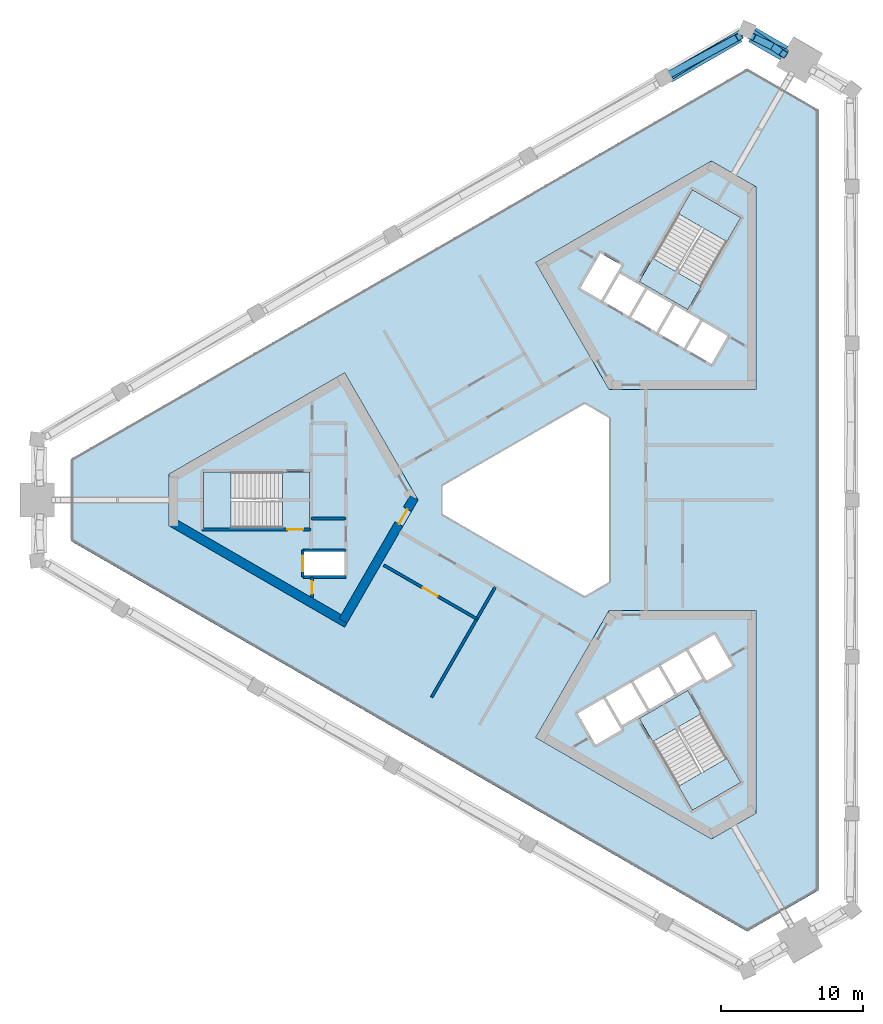
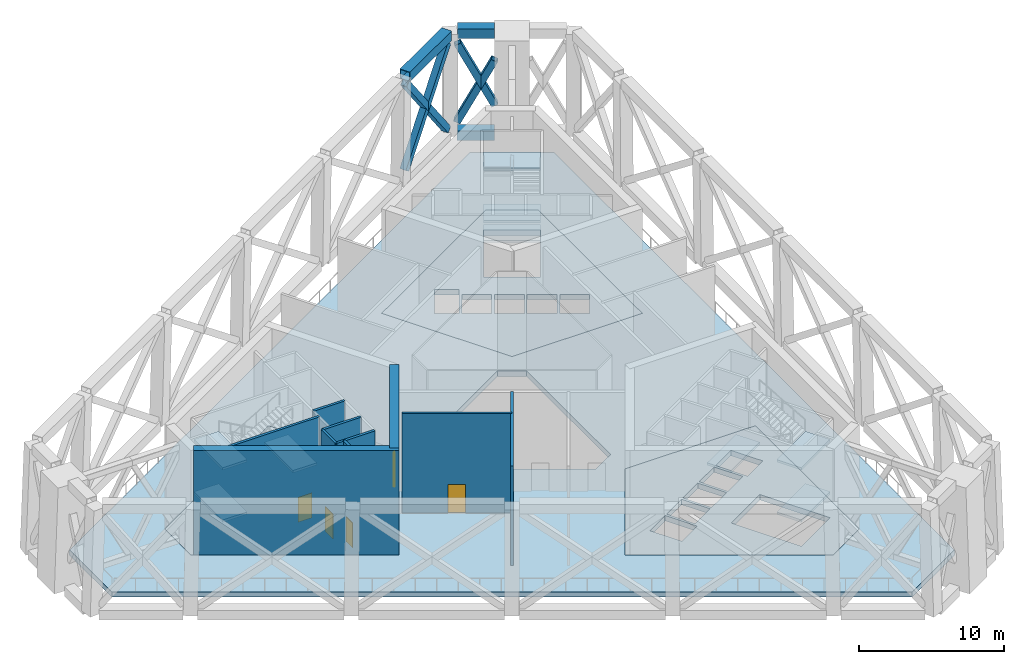
# One storey, part 3 of 8: 13 slabs, 10 walls, 7 members, 5 doors, 5 openings, 3 elements without a shape of their own.
"""IFC4 building model written with IfcOpenShell, lengths in metres."""

from ifc_helpers import new_model, si_unit, direction, frame, frame_2d, origin, origin_2d, place, context, subcontext, project, spatial, polyline, rectangle, hollow_rectangle, outline, extrude, material, layer, layer_set, material_profile, profile_set, type_object, element, fill, aggregate, save


model = new_model("IFC4")

# Units and contexts
model_context = context("Model", 3, precision=1e-05, world=origin(), true_north=direction((0.0, 1.0)))
body_context = subcontext(model_context, "Body", "Model", "MODEL_VIEW")
ifc_project = project(units=[si_unit("LENGTHUNIT", "METRE"), si_unit("AREAUNIT", "SQUARE_METRE"), si_unit("VOLUMEUNIT", "CUBIC_METRE"), si_unit("PLANEANGLEUNIT", "RADIAN"), si_unit("MASSUNIT", "GRAM", prefix="KILO")], contexts=[model_context])

# Site, building, storey
site_placement = place(None, origin())
site = spatial("IfcSite", under=ifc_project, at=site_placement, CompositionType="ELEMENT")
building_placement = place(site_placement, origin())
building = spatial("IfcBuilding", under=site, at=building_placement, Name="Jabali Bay Hotel Tower and Convention Centre", CompositionType="ELEMENT")
storey_placement = place(building_placement, frame((0.0, 0.0, 147.5)))
storey = spatial("IfcBuildingStorey", under=building, at=storey_placement, Name="L36", CompositionType="ELEMENT", Elevation=147.5)

# Members
ifc_material_1 = material(Name="Steel Q420GJC", Category="steel")
ifc_material_profile_1 = material_profile(ifc_material_1, hollow_rectangle(XDim=0.5, YDim=0.5, WallThickness=0.030029296875, at=origin_2d()), Name="Belt brace 500x500x30")
ifc_profile_set_1 = profile_set([ifc_material_profile_1], Name="Steel Q420GJC")
member_type_1 = type_object("IfcMemberType", Name="Belt brace 500x500x30", PredefinedType="BRACE", material=ifc_profile_set_1)
member_1_placement = place(storey_placement, frame((91.8857421875, 111.640869140625, 2.472412109375), z_axis=(-0.39301081435, 0.190306956205, 0.899625345477), x_axis=(-0.435821502568, -0.900033120446, 0.0)))
element("IfcMember", 1, at=member_1_placement, inside=storey, type_object=member_type_1, Name="Belt brace T3 M1-V2 x1", PredefinedType="BRACE", context=body_context, shape_type="SweptSolid", body=[
    extrude(hollow_rectangle(XDim=0.5, YDim=0.5, WallThickness=0.030029296875, at=origin_2d()), origin(), (0.0, 0.0, 1.0), 5.888427734375),
])
member_2_placement = place(storey_placement, frame((89.667724609375, 112.980224609375, 1.02392578125), z_axis=(0.363210049995, -0.246237110887, 0.898579848875), x_axis=(0.561147389279, 0.827715897821, 0.0)))
element("IfcMember", 2, at=member_2_placement, inside=storey, type_object=member_type_1, Name="Belt brace T3 M1-V2 x2", PredefinedType="BRACE", context=body_context, shape_type="SweptSolid", body=[
    extrude(hollow_rectangle(XDim=0.5, YDim=0.5, WallThickness=0.030029296875, at=origin_2d()), origin(), (0.0, 0.0, 1.0), 5.919189453125),
])
member_3_placement = place(storey_placement, frame((88.827392578125, 113.0, 0.62939453125), z_axis=(-0.53060515702, -0.324593877109, 0.783005097229), x_axis=(0.521842282181, -0.853041987553, 0.0)))
element("IfcMember", 3, at=member_3_placement, inside=storey, type_object=member_type_1, Name="Belt brace T3 V2-F1.1 x1", PredefinedType="BRACE", context=body_context, shape_type="SweptSolid", body=[
    extrude(hollow_rectangle(XDim=0.5, YDim=0.5, WallThickness=0.030029296875, at=origin_2d()), origin(), (0.0, 0.0, 1.0), 9.631103515625),
])
member_4_placement = place(storey_placement, frame((83.803955078125, 110.0986328125, 0.671875), z_axis=(0.5248722981, 0.284345232965, 0.80228228148), x_axis=(-0.476334184303, 0.87926432025, 0.0)))
element("IfcMember", 4, at=member_4_placement, inside=storey, type_object=member_type_1, Name="Belt brace T3 V2-F1.1 x2", PredefinedType="BRACE", context=body_context, shape_type="SweptSolid", body=[
    extrude(hollow_rectangle(XDim=0.5, YDim=0.5, WallThickness=0.030029296875, at=origin_2d()), origin(), (0.0, 0.0, 1.0), 9.29345703125),
])
ifc_material_profile_2 = material_profile(ifc_material_1, hollow_rectangle(XDim=0.800048828125, YDim=0.800048828125, WallThickness=0.0400390625, at=origin_2d()), Name="Belt chord 800x800x40")
ifc_profile_set_2 = profile_set([ifc_material_profile_2], Name="Steel Q420GJC")
member_type_2 = type_object("IfcMemberType", Name="Belt chord 800x800x40", PredefinedType="CHORD", material=ifc_profile_set_2)
member_5_placement = place(storey_placement, frame((91.926513671875, 111.7177734375, 0.0), z_axis=(-0.865985912775, 0.500068394197, 0.0), x_axis=(-0.500068394197, -0.865985912775, 0.0)))
element("IfcMember", 5, at=member_5_placement, inside=storey, type_object=member_type_2, Name="Belt chord T3 M1-V2", PredefinedType="CHORD", context=body_context, shape_type="SweptSolid", body=[
    extrude(hollow_rectangle(XDim=0.800048828125, YDim=0.800048828125, WallThickness=0.0400390625, at=origin_2d()), origin(), (0.0, 0.0, 1.0), 2.586181640625),
])
member_6_placement = place(storey_placement, frame((91.771728515625, 111.44921875, 8.800048828125), z_axis=(-0.866022009101, 0.500005879718, 0.0), x_axis=(-0.500005879718, -0.866022009101, 0.0)))
element("IfcMember", 6, at=member_6_placement, inside=storey, type_object=member_type_2, Name="Belt chord T3 M1-V2", PredefinedType="CHORD", context=body_context, shape_type="SweptSolid", body=[
    extrude(hollow_rectangle(XDim=0.800048828125, YDim=0.800048828125, WallThickness=0.0400390625, at=origin_2d()), origin(), (0.0, 0.0, 1.0), 2.56005859375),
])
member_7_placement = place(storey_placement, frame((88.6884765625, 112.729248046875, 8.800048828125), z_axis=(-0.866025312952, -0.500000157326, 0.0), x_axis=(0.500000157326, -0.866025312952, 0.0)))
element("IfcMember", 7, at=member_7_placement, inside=storey, type_object=member_type_2, Name="Belt chord T3 V2-F1.1", PredefinedType="CHORD", context=body_context, shape_type="SweptSolid", body=[
    extrude(hollow_rectangle(XDim=0.800048828125, YDim=0.800048828125, WallThickness=0.0400390625, at=origin_2d()), origin(), (0.0, 0.0, 1.0), 5.73291015625),
])

# Slabs
ifc_material_2 = material(Name="Concrete C40", Category="concrete")
ifc_layer_1 = layer(ifc_material_2, 0.449951171875)
ifc_layer_set_1 = layer_set([ifc_layer_1], Name="Concrete C40")
slab_type_1 = type_object("IfcSlabType", Name="Core floor slab 450", PredefinedType="FLOOR", material=ifc_layer_set_1)
slab_1_placement = place(storey_placement, frame((0.0, 0.0, -0.449951171875)))
element("IfcSlab", 8, at=slab_1_placement, inside=storey, type_object=slab_type_1, Name="Core floor slab 1 L36", PredefinedType="FLOOR", context=body_context, shape_type="SweptSolid", body=[
    extrude(outline(polyline([(66.0, 80.0), (60.81005859375, 88.9892578125), (48.39697265625, 81.82275390625), (48.39697265625, 78.17724609375), (60.81005859375, 71.0107421875), (66.0, 80.0)]), holes=[polyline([(60.800048828125, 76.35009765625), (57.949951171875, 76.35009765625), (57.949951171875, 74.64990234375), (60.800048828125, 74.64990234375), (60.800048828125, 76.35009765625)]), polyline([(50.820068359375, 81.97509765625), (50.820068359375, 78.02490234375), (56.409912109375, 78.02490234375), (56.409912109375, 81.97509765625), (50.820068359375, 81.97509765625)])]), origin(), (0.0, 0.0, 1.0), 0.449951171875),
])
slab_2_placement = place(storey_placement, frame((0.0, 0.0, -0.449951171875)))
element("IfcSlab", 9, at=slab_2_placement, inside=storey, type_object=slab_type_1, Name="Core floor slab 2 L36", PredefinedType="FLOOR", context=body_context, shape_type="SweptSolid", body=[
    extrude(outline(polyline([(79.5, 87.794189453125), (89.8798828125, 87.794189453125), (89.8798828125, 102.127685546875), (86.72314453125, 103.9501953125), (74.31005859375, 96.78369140625), (79.5, 87.794189453125)]), holes=[polyline([(84.957763671875, 90.6474609375), (86.733154296875, 89.62255859375), (87.873291015625, 91.59716796875), (86.097900390625, 92.6220703125), (84.957763671875, 90.6474609375)]), polyline([(84.1494140625, 93.7470703125), (83.00927734375, 91.7724609375), (84.78466796875, 90.74755859375), (85.924560546875, 92.72216796875), (84.1494140625, 93.7470703125)]), polyline([(82.20068359375, 94.8720703125), (81.060791015625, 92.8974609375), (82.836181640625, 91.87255859375), (83.97607421875, 93.84716796875), (82.20068359375, 94.8720703125)]), polyline([(79.1123046875, 94.0224609375), (80.887451171875, 92.99755859375), (82.027587890625, 94.97216796875), (80.252197265625, 95.9970703125), (79.1123046875, 94.0224609375)]), polyline([(78.891845703125, 97.440673828125), (77.466796875, 94.97265625), (78.93896484375, 94.12255859375), (80.364013671875, 96.5908203125), (78.891845703125, 97.440673828125)]), polyline([(82.584716796875, 97.0869140625), (86.00537109375, 95.11181640625), (88.80029296875, 99.952880859375), (85.379638671875, 101.927978515625), (82.584716796875, 97.0869140625)])]), origin(), (0.0, 0.0, 1.0), 0.449951171875),
])
slab_3_placement = place(storey_placement, frame((0.0, 0.0, -0.449951171875)))
element("IfcSlab", 10, at=slab_3_placement, inside=storey, type_object=slab_type_1, Name="Core floor slab 3 L36", PredefinedType="FLOOR", context=body_context, shape_type="SweptSolid", body=[
    extrude(outline(polyline([(79.5, 72.205810546875), (74.31005859375, 63.21630859375), (86.72314453125, 56.0498046875), (89.8798828125, 57.872314453125), (89.8798828125, 72.205810546875), (79.5, 72.205810546875)]), holes=[polyline([(82.584716796875, 62.9130859375), (85.379638671875, 58.072021484375), (88.80029296875, 60.047119140625), (86.00537109375, 64.88818359375), (82.584716796875, 62.9130859375)]), polyline([(80.365478515625, 63.756591796875), (79.090576171875, 65.96484375), (77.27197265625, 64.9150390625), (78.546875, 62.70654296875), (80.365478515625, 63.756591796875)]), polyline([(82.17919921875, 65.115478515625), (81.0390625, 67.08984375), (79.263671875, 66.06494140625), (80.40380859375, 64.09033203125), (82.17919921875, 65.115478515625)]), polyline([(82.98779296875, 68.21484375), (81.21240234375, 67.18994140625), (82.352294921875, 65.21533203125), (84.127685546875, 66.240478515625), (82.98779296875, 68.21484375)]), polyline([(86.076171875, 67.365478515625), (84.936279296875, 69.33984375), (83.160888671875, 68.31494140625), (84.30078125, 66.34033203125), (86.076171875, 67.365478515625)]), polyline([(88.203125, 68.281494140625), (86.927978515625, 70.489990234375), (85.109375, 69.43994140625), (86.384521484375, 67.231689453125), (88.203125, 68.281494140625)])]), origin(), (0.0, 0.0, 1.0), 0.449951171875),
])
ifc_layer_2 = layer(ifc_material_2, 0.449951171875)
ifc_layer_set_2 = layer_set([ifc_layer_2], Name="Concrete C40")
slab_type_2 = type_object("IfcSlabType", Name="Post-tensioned flat slab 450", PredefinedType="FLOOR", material=ifc_layer_set_2)
slab_4_placement = place(storey_placement, frame((0.0, 0.0, -0.449951171875)))
element("IfcSlab", 11, at=slab_4_placement, inside=storey, type_object=slab_type_2, Name="Floor slab L36", PredefinedType="FLOOR", context=body_context, shape_type="SweptSolid", body=[
    extrude(outline(polyline([(89.25390625, 110.489501953125), (94.27783203125, 107.589111328125), (94.27783203125, 52.410888671875), (89.25390625, 49.510498046875), (41.46826171875, 77.099365234375), (41.46826171875, 82.900634765625), (89.25390625, 110.489501953125)]), holes=[polyline([(67.73193359375, 79.0), (77.76806640625, 73.205810546875), (79.5, 74.205810546875), (79.5, 85.794189453125), (77.76806640625, 86.794189453125), (67.73193359375, 81.0), (67.73193359375, 79.0)]), polyline([(48.39697265625, 78.17724609375), (60.81005859375, 71.0107421875), (66.0, 80.0), (60.81005859375, 88.9892578125), (48.39697265625, 81.82275390625), (48.39697265625, 78.17724609375)]), polyline([(89.8798828125, 102.127685546875), (86.72314453125, 103.9501953125), (74.31005859375, 96.78369140625), (79.5, 87.794189453125), (89.8798828125, 87.794189453125), (89.8798828125, 102.127685546875)]), polyline([(74.31005859375, 63.21630859375), (86.72314453125, 56.0498046875), (89.8798828125, 57.872314453125), (89.8798828125, 72.205810546875), (79.5, 72.205810546875), (74.31005859375, 63.21630859375)])]), origin(), (0.0, 0.0, 1.0), 0.449951171875),
])

# Stair, slabs
stair_type = type_object("IfcStairType", Name="Exit stair 1900", PredefinedType="HALF_TURN_STAIR", material=ifc_material_2)
stair_1_placement = place(storey_placement, origin())
stair_1 = element("IfcStair", 12, at=stair_1_placement, inside=storey, type_object=stair_type, Name="L36 Exit Stair 1", PredefinedType="HALF_TURN_STAIR")
ifc_layer_3 = layer(ifc_material_2, 0.199951171875)
ifc_layer_set_3 = layer_set([ifc_layer_3], Name="Concrete C40")
slab_type_3 = type_object("IfcSlabType", Name="Stair landing 200", PredefinedType="LANDING", material=ifc_layer_set_3)
slab_5_placement = place(storey_placement, frame((0.0, 0.0, 2.0)))
slab_5 = element("IfcSlab", 13, at=slab_5_placement, type_object=slab_type_3, Name="ST1 landing 1", PredefinedType="LANDING", context=body_context, shape_type="SweptSolid", body=[
    extrude(outline(polyline([(52.782958984375, 81.97509765625), (50.820068359375, 81.97509765625), (50.820068359375, 78.02490234375), (52.782958984375, 78.02490234375), (52.782958984375, 81.97509765625)])), origin(), (0.0, 0.0, 1.0), 0.199951171875),
])
slab_6_placement = place(storey_placement, frame((0.0, 0.0, 4.199951171875)))
slab_6 = element("IfcSlab", 14, at=slab_6_placement, type_object=slab_type_3, Name="ST1 landing 2", PredefinedType="LANDING", context=body_context, shape_type="SweptSolid", body=[
    extrude(outline(polyline([(58.320068359375, 81.97509765625), (56.4169921875, 81.97509765625), (56.4169921875, 78.02490234375), (58.320068359375, 78.02490234375), (58.320068359375, 81.97509765625)])), origin(), (0.0, 0.0, 1.0), 0.199951171875),
])
slab_7_placement = place(storey_placement, frame((0.0, 0.0, 6.39990234375)))
slab_7 = element("IfcSlab", 15, at=slab_7_placement, type_object=slab_type_3, Name="ST1 landing 3", PredefinedType="LANDING", context=body_context, shape_type="SweptSolid", body=[
    extrude(outline(polyline([(52.782958984375, 81.97509765625), (50.820068359375, 81.97509765625), (50.820068359375, 78.02490234375), (52.782958984375, 78.02490234375), (52.782958984375, 81.97509765625)])), origin(), (0.0, 0.0, 1.0), 0.2001953125),
])
aggregate(stair_1, [slab_5, slab_6, slab_7])

stair_2_placement = place(storey_placement, origin())
stair_2 = element("IfcStair", 16, at=stair_2_placement, inside=storey, type_object=stair_type, Name="L36 Exit Stair 2", PredefinedType="HALF_TURN_STAIR")
slab_8_placement = place(storey_placement, frame((0.0, 0.0, 2.0)))
slab_8 = element("IfcSlab", 17, at=slab_8_placement, type_object=slab_type_3, Name="ST2 landing 1", PredefinedType="LANDING", context=body_context, shape_type="SweptSolid", body=[
    extrude(outline(polyline([(87.81884765625, 98.2529296875), (88.80029296875, 99.952880859375), (85.379638671875, 101.927978515625), (84.398193359375, 100.22802734375), (87.81884765625, 98.2529296875)])), origin(), (0.0, 0.0, 1.0), 0.199951171875),
])
slab_9_placement = place(storey_placement, frame((0.0, 0.0, 4.199951171875)))
slab_9 = element("IfcSlab", 18, at=slab_9_placement, type_object=slab_type_3, Name="ST2 landing 2", PredefinedType="LANDING", context=body_context, shape_type="SweptSolid", body=[
    extrude(outline(polyline([(85.05029296875, 93.457763671875), (86.001953125, 95.10595703125), (82.5810546875, 97.080810546875), (81.629638671875, 95.432861328125), (85.05029296875, 93.457763671875)])), origin(), (0.0, 0.0, 1.0), 0.199951171875),
])
slab_10_placement = place(storey_placement, frame((0.0, 0.0, 6.39990234375)))
slab_10 = element("IfcSlab", 19, at=slab_10_placement, type_object=slab_type_3, Name="ST2 landing 3", PredefinedType="LANDING", context=body_context, shape_type="SweptSolid", body=[
    extrude(outline(polyline([(87.81884765625, 98.2529296875), (88.80029296875, 99.952880859375), (85.379638671875, 101.927978515625), (84.398193359375, 100.22802734375), (87.81884765625, 98.2529296875)])), origin(), (0.0, 0.0, 1.0), 0.2001953125),
])
aggregate(stair_2, [slab_8, slab_9, slab_10])

stair_3_placement = place(storey_placement, origin())
stair_3 = element("IfcStair", 20, at=stair_3_placement, inside=storey, type_object=stair_type, Name="L36 Exit Stair 3", PredefinedType="HALF_TURN_STAIR")
slab_11_placement = place(storey_placement, frame((0.0, 0.0, 2.0)))
slab_11 = element("IfcSlab", 21, at=slab_11_placement, type_object=slab_type_3, Name="ST3 landing 1", PredefinedType="LANDING", context=body_context, shape_type="SweptSolid", body=[
    extrude(outline(polyline([(84.398193359375, 59.77197265625), (85.379638671875, 58.072021484375), (88.80029296875, 60.047119140625), (87.81884765625, 61.7470703125), (84.398193359375, 59.77197265625)])), origin(), (0.0, 0.0, 1.0), 0.199951171875),
])
slab_12_placement = place(storey_placement, frame((0.0, 0.0, 4.199951171875)))
slab_12 = element("IfcSlab", 22, at=slab_12_placement, type_object=slab_type_3, Name="ST3 landing 2", PredefinedType="LANDING", context=body_context, shape_type="SweptSolid", body=[
    extrude(outline(polyline([(81.629638671875, 64.567138671875), (82.5810546875, 62.919189453125), (86.001953125, 64.89404296875), (85.05029296875, 66.542236328125), (81.629638671875, 64.567138671875)])), origin(), (0.0, 0.0, 1.0), 0.199951171875),
])
slab_13_placement = place(storey_placement, frame((0.0, 0.0, 6.39990234375)))
slab_13 = element("IfcSlab", 23, at=slab_13_placement, type_object=slab_type_3, Name="ST3 landing 3", PredefinedType="LANDING", context=body_context, shape_type="SweptSolid", body=[
    extrude(outline(polyline([(84.398193359375, 59.77197265625), (85.379638671875, 58.072021484375), (88.80029296875, 60.047119140625), (87.81884765625, 61.7470703125), (84.398193359375, 59.77197265625)])), origin(), (0.0, 0.0, 1.0), 0.2001953125),
])
aggregate(stair_3, [slab_11, slab_12, slab_13])

# Wall, opening, door
ifc_layer_4 = layer(ifc_material_2, 0.199951171875)
ifc_layer_set_4 = layer_set([ifc_layer_4], Name="Concrete C40")
wall_type_1 = type_object("IfcWallType", Name="Core partition wall 200", PredefinedType="PARTITIONING", material=ifc_layer_set_4)
wall_1_placement = place(storey_placement, frame((58.5, 74.550048828125, 0.0), z_axis=(0.0, 0.0, 1.0), x_axis=(0.0, -1.0, 0.0)))
wall_1 = element("IfcWall", 24, at=wall_1_placement, inside=storey, type_object=wall_type_1, Name="Core wall 0.11 L36", PredefinedType="PARTITIONING", context=body_context, shape_type="SweptSolid", body=[
    extrude(rectangle(XDim=1.455078125, YDim=0.199951171875, at=frame_2d((0.7275390625, 0.0))), origin(), (0.0, 0.0, 1.0), 8.35009765625),
])
opening_1_placement = place(wall_1_placement, frame((0.277587890625, 0.0, 0.0)))
opening_1 = element("IfcOpeningElement", 25, at=opening_1_placement, cuts=wall_1, Name="Opening D787", PredefinedType="OPENING", context=body_context, shape_type="SweptSolid", body=[
    extrude(rectangle(XDim=0.89990234375, YDim=2.10009765625, at=frame_2d((0.449951171875, 1.050048828125))), frame((0.0, 0.1103515625, 0.0), z_axis=(0.0, -1.0, 0.0), x_axis=(1.0, 0.0, 0.0)), (0.0, 0.0, 1.0), 0.220947265625),
])
ifc_material_3 = material(Name="Fire-rated steel door", Category="steel")
door_type_1 = type_object("IfcDoorType", Name="Vestibule fire door 900 x 2100", OperationType="NOTDEFINED", PredefinedType="NOTDEFINED", material=ifc_material_3)
door_1_placement = place(opening_1_placement, origin())
door_1 = element("IfcDoor", 26, at=door_1_placement, inside=storey, type_object=door_type_1, Name="Vestibule fire door D787", OperationType="SINGLE_SWING_LEFT", OverallHeight=2.10009765625, OverallWidth=0.89990234375, PredefinedType="NOTDEFINED", context=body_context, shape_type="SweptSolid", body=[
    extrude(rectangle(XDim=0.89990234375, YDim=2.10009765625, at=frame_2d((0.449951171875, 1.050048828125))), frame((0.0, 0.02490234375, 0.0), z_axis=(0.0, -1.0, 0.0), x_axis=(1.0, 0.0, 0.0)), (0.0, 0.0, 1.0), 0.050048828125),
])
fill(opening_1, door_1)

# Wall
ifc_layer_5 = layer(ifc_material_2, 0.199951171875)
ifc_layer_set_5 = layer_set([ifc_layer_5], Name="Concrete C40")
wall_type_2 = type_object("IfcWallType", Name="Core stair wall 200", PredefinedType="SOLIDWALL", material=ifc_layer_set_5)
wall_2_placement = place(storey_placement, frame((60.89990234375, 78.699951171875, 0.0), z_axis=(0.0, 0.0, 1.0), x_axis=(-1.0, 0.0, 0.0)))
element("IfcWall", 27, at=wall_2_placement, inside=storey, type_object=wall_type_2, Name="Core wall 0.5 L36", PredefinedType="SOLIDWALL", context=body_context, shape_type="SweptSolid", body=[
    extrude(rectangle(XDim=2.47998046875, YDim=0.199951171875, at=frame_2d((1.239990234375, 0.0))), origin(), (0.0, 0.0, 1.0), 8.35009765625),
])

# Wall, opening, door
wall_3_placement = place(storey_placement, frame((58.419921875, 77.925048828125, 0.0), z_axis=(0.0, 0.0, 1.0), x_axis=(-1.0, 0.0, 0.0)))
wall_3 = element("IfcWall", 28, at=wall_3_placement, inside=storey, type_object=wall_type_2, Name="Core wall 0.6 L36", PredefinedType="SOLIDWALL", context=body_context, shape_type="SweptSolid", body=[
    extrude(rectangle(XDim=7.699951171875, YDim=0.199951171875, at=frame_2d((3.85009765625, 0.0))), origin(), (0.0, 0.0, 1.0), 8.35009765625),
])
opening_2_placement = place(wall_3_placement, frame((0.550048828125, 0.0, 0.0)))
opening_2 = element("IfcOpeningElement", 29, at=opening_2_placement, cuts=wall_3, Name="Opening D789", PredefinedType="OPENING", context=body_context, shape_type="SweptSolid", body=[
    extrude(rectangle(XDim=1.10009765625, YDim=2.10009765625, at=frame_2d((0.550048828125, 1.050048828125))), frame((0.0, 0.1103515625, 0.0), z_axis=(0.0, -1.0, 0.0), x_axis=(1.0, 0.0, 0.0)), (0.0, 0.0, 1.0), 0.220947265625),
])
door_type_2 = type_object("IfcDoorType", Name="Stair fire door 1100 x 2100", OperationType="NOTDEFINED", PredefinedType="NOTDEFINED", material=ifc_material_3)
door_2_placement = place(opening_2_placement, origin())
door_2 = element("IfcDoor", 30, at=door_2_placement, inside=storey, type_object=door_type_2, Name="Stair fire door D789", OperationType="SINGLE_SWING_RIGHT", OverallHeight=2.10009765625, OverallWidth=1.10009765625, PredefinedType="NOTDEFINED", context=body_context, shape_type="SweptSolid", body=[
    extrude(rectangle(XDim=1.10009765625, YDim=2.10009765625, at=frame_2d((0.550048828125, 1.050048828125))), frame((0.0, 0.02490234375, 0.0), z_axis=(0.0, -1.0, 0.0), x_axis=(1.0, 0.0, 0.0)), (0.0, 0.0, 1.0), 0.050048828125),
])
fill(opening_2, door_2)

# Walls
for number, where, z_axis, x_axis, name in (
    (31, (60.89990234375, 76.449951171875, 0.0), (0.0, 0.0, 1.0), (-1.0, 0.0, 0.0), "Core wall 0.7 L36"),
    (32, (60.89990234375, 74.550048828125, 0.0), (0.0, 0.0, 1.0), (-1.0, 0.0, 0.0), "Core wall 0.8 L36"),
):
    element("IfcWall", number, at=place(storey_placement, frame(where, z_axis=z_axis, x_axis=x_axis)), inside=storey, type_object=wall_type_2, Name=name, PredefinedType="SOLIDWALL", context=body_context, shape_type="SweptSolid", body=[
        extrude(rectangle(XDim=3.0498046875, YDim=0.199951171875, at=frame_2d((1.52490234375, 0.0))), origin(), (0.0, 0.0, 1.0), 8.35009765625),
    ])

# Wall, opening, door
wall_4_placement = place(storey_placement, frame((57.85009765625, 76.449951171875, 0.0), z_axis=(0.0, 0.0, 1.0), x_axis=(0.0, -1.0, 0.0)))
wall_4 = element("IfcWall", 33, at=wall_4_placement, inside=storey, type_object=wall_type_2, Name="Core wall 0.13 L36", PredefinedType="SOLIDWALL", context=body_context, shape_type="SweptSolid", body=[
    extrude(rectangle(XDim=1.89990234375, YDim=0.199951171875, at=frame_2d((0.949951171875, 0.0))), origin(), (0.0, 0.0, 1.0), 8.35009765625),
])
opening_3_placement = place(wall_4_placement, frame((0.39990234375, 0.0, 0.0)))
opening_3 = element("IfcOpeningElement", 34, at=opening_3_placement, cuts=wall_4, Name="Opening LD5-L36", PredefinedType="OPENING", context=body_context, shape_type="SweptSolid", body=[
    extrude(rectangle(XDim=1.10009765625, YDim=2.10009765625, at=frame_2d((0.550048828125, 1.050048828125))), frame((0.0, 0.1103515625, 0.0), z_axis=(0.0, -1.0, 0.0), x_axis=(1.0, 0.0, 0.0)), (0.0, 0.0, 1.0), 0.220947265625),
])
ifc_material_4 = material(Name="Stainless steel landing door", Category="steel")
door_type_3 = type_object("IfcDoorType", Name="Landing door 1100 x 2100", OperationType="NOTDEFINED", PredefinedType="NOTDEFINED", material=ifc_material_4)
door_3_placement = place(opening_3_placement, origin())
door_3 = element("IfcDoor", 35, at=door_3_placement, inside=storey, type_object=door_type_3, Name="Landing doors LD5-L36", OperationType="SLIDING_TO_RIGHT", OverallHeight=2.10009765625, OverallWidth=1.10009765625, PredefinedType="NOTDEFINED", context=body_context, shape_type="SweptSolid", body=[
    extrude(rectangle(XDim=1.10009765625, YDim=2.10009765625, at=frame_2d((0.550048828125, 1.050048828125))), frame((0.0, 0.02490234375, 0.0), z_axis=(0.0, -1.0, 0.0), x_axis=(1.0, 0.0, 0.0)), (0.0, 0.0, 1.0), 0.050048828125),
])
fill(opening_3, door_3)

# Wall
ifc_material_5 = material(Name="Concrete C60", Category="concrete")
ifc_layer_6 = layer(ifc_material_5, 0.64990234375)
ifc_layer_set_6 = layer_set([ifc_layer_6], Name="Concrete C60")
wall_type_3 = type_object("IfcWallType", Name="Core wall 650", PredefinedType="SHEAR", material=ifc_layer_set_6)
wall_5_placement = place(storey_placement, frame((48.721923828125, 78.364990234375, 0.0), z_axis=(0.0, 0.0, 1.0), x_axis=(0.866020036431, -0.500009296414, 0.0)))
element("IfcWall", 36, at=wall_5_placement, inside=storey, type_object=wall_type_3, Name="Core wall 1.4 L36", PredefinedType="SHEAR", context=body_context, shape_type="SweptSolid", body=[
    extrude(rectangle(XDim=14.145751953125, YDim=0.64990234375, at=frame_2d((7.07275390625, 0.0))), origin(), (0.0, 0.0, 1.0), 8.800048828125),
])

# Wall, opening, door
wall_6_placement = place(storey_placement, frame((60.691162109375, 71.45458984375, 0.0), z_axis=(0.0, 0.0, 1.0), x_axis=(0.499983075189, 0.866035175108, 0.0)))
wall_6 = element("IfcWall", 37, at=wall_6_placement, inside=storey, type_object=wall_type_3, Name="Core wall 1.5 L36", PredefinedType="SHEAR", context=body_context, shape_type="SweptSolid", body=[
    extrude(rectangle(XDim=10.054931640625, YDim=0.64990234375, at=frame_2d((5.02734375, 0.0))), origin(), (0.0, 0.0, 1.0), 8.800048828125),
])
opening_4_placement = place(wall_6_placement, frame((7.905029296875, 0.0, 0.0)))
opening_4 = element("IfcOpeningElement", 38, at=opening_4_placement, cuts=wall_6, Name="Opening D783", PredefinedType="OPENING", context=body_context, shape_type="SweptSolid", body=[
    extrude(rectangle(XDim=1.199951171875, YDim=2.10009765625, at=frame_2d((0.60009765625, 1.050048828125))), frame((0.0, 0.33544921875, 0.0), z_axis=(0.0, -1.0, 0.0), x_axis=(1.0, 0.0, 0.0)), (0.0, 0.0, 1.0), 0.6708984375),
])
door_type_4 = type_object("IfcDoorType", Name="Corridor end fire door 1200 x 2100", OperationType="NOTDEFINED", PredefinedType="NOTDEFINED", material=ifc_material_3)
door_4_placement = place(opening_4_placement, origin())
door_4 = element("IfcDoor", 39, at=door_4_placement, inside=storey, type_object=door_type_4, Name="Corridor end fire door D783", OperationType="SINGLE_SWING_LEFT", OverallHeight=2.10009765625, OverallWidth=1.199951171875, PredefinedType="NOTDEFINED", context=body_context, shape_type="SweptSolid", body=[
    extrude(rectangle(XDim=1.199951171875, YDim=2.10009765625, at=frame_2d((0.60009765625, 1.050048828125))), frame((0.0, 0.02490234375, 0.0), z_axis=(0.0, -1.0, 0.0), x_axis=(1.0, 0.0, 0.0)), (0.0, 0.0, 1.0), 0.050048828125),
])
fill(opening_4, door_4)

ifc_material_6 = material(Name="Plasterboard on steel stud", Category="steel")
ifc_layer_7 = layer(ifc_material_6, 0.199951171875)
ifc_layer_set_7 = layer_set([ifc_layer_7], Name="Plasterboard on steel stud")
wall_type_4 = type_object("IfcWallType", Name="Partition 200 refuge", PredefinedType="PARTITIONING", material=ifc_layer_set_7)
wall_7_placement = place(storey_placement, frame((63.572265625, 75.397216796875, 0.0), z_axis=(0.0, 0.0, 1.0), x_axis=(0.866024999478, -0.500000700278, 0.0)))
wall_7 = element("IfcWall", 40, at=wall_7_placement, inside=storey, type_object=wall_type_4, Name="Partition P05 L36 007", PredefinedType="PARTITIONING", context=body_context, shape_type="SweptSolid", body=[
    extrude(rectangle(XDim=7.59521484375, YDim=0.199951171875, at=frame_2d((3.797607421875, 0.0))), origin(), (0.0, 0.0, 1.0), 8.35009765625),
])
opening_5_placement = place(wall_7_placement, frame((3.197998046875, 0.0, 0.0)))
opening_5 = element("IfcOpeningElement", 41, at=opening_5_placement, cuts=wall_7, Name="Opening 3610", PredefinedType="OPENING", context=body_context, shape_type="SweptSolid", body=[
    extrude(rectangle(XDim=1.199951171875, YDim=2.39990234375, at=frame_2d((0.60009765625, 1.199951171875))), frame((0.0, 0.1103515625, 0.0), z_axis=(0.0, -1.0, 0.0), x_axis=(1.0, 0.0, 0.0)), (0.0, 0.0, 1.0), 0.220947265625),
])
ifc_material_7 = material(Name="Steel Q355B", Category="steel")
door_type_5 = type_object("IfcDoorType", Name="Refuge hall door 1200 x 2400", OperationType="NOTDEFINED", PredefinedType="NOTDEFINED", material=ifc_material_7)
door_5_placement = place(opening_5_placement, origin())
door_5 = element("IfcDoor", 42, at=door_5_placement, inside=storey, type_object=door_type_5, Name="Door 3610", OperationType="SINGLE_SWING_RIGHT", OverallHeight=2.39990234375, OverallWidth=1.199951171875, PredefinedType="NOTDEFINED", context=body_context, shape_type="SweptSolid", body=[
    extrude(rectangle(XDim=1.199951171875, YDim=2.39990234375, at=frame_2d((0.60009765625, 1.199951171875))), frame((0.0, 0.02490234375, 0.0), z_axis=(0.0, -1.0, 0.0), x_axis=(1.0, 0.0, 0.0)), (0.0, 0.0, 1.0), 0.050048828125),
])
fill(opening_5, door_5)

# Wall
wall_8_placement = place(storey_placement, frame((66.949951171875, 66.056884765625, 0.0), z_axis=(0.0, 0.0, 1.0), x_axis=(0.499990139034, 0.866031096941, 0.0)))
element("IfcWall", 43, at=wall_8_placement, inside=storey, type_object=wall_type_4, Name="Partition P05 L36 008", PredefinedType="PARTITIONING", context=body_context, shape_type="SweptSolid", body=[
    extrude(rectangle(XDim=9.000244140625, YDim=0.199951171875, at=frame_2d((4.5, 0.0))), origin(), (0.0, 0.0, 1.0), 8.35009765625),
])

save(model, "model.ifc")
